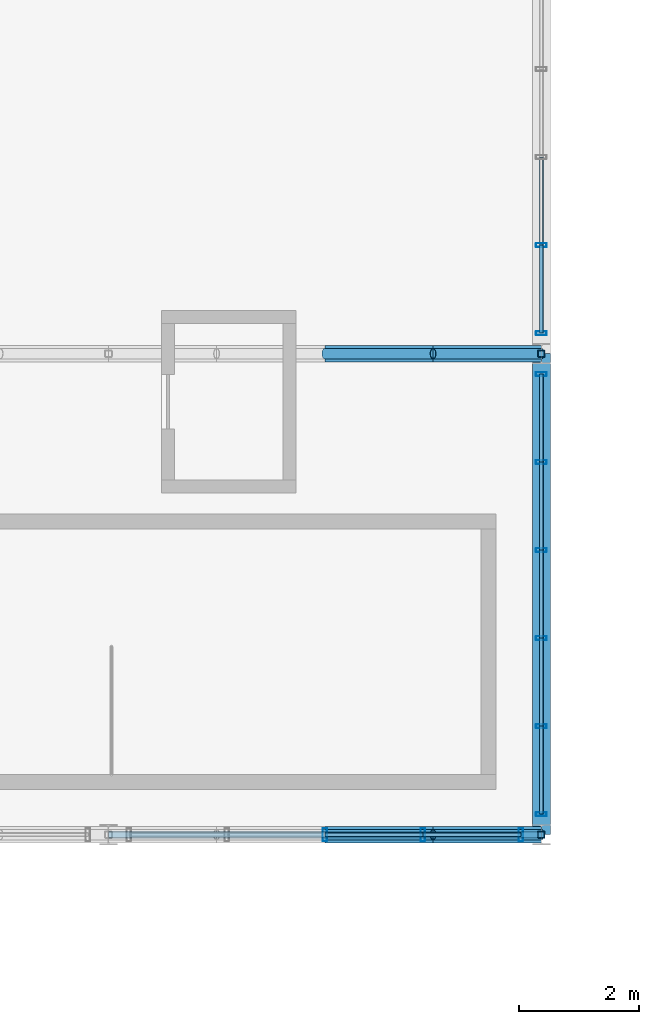
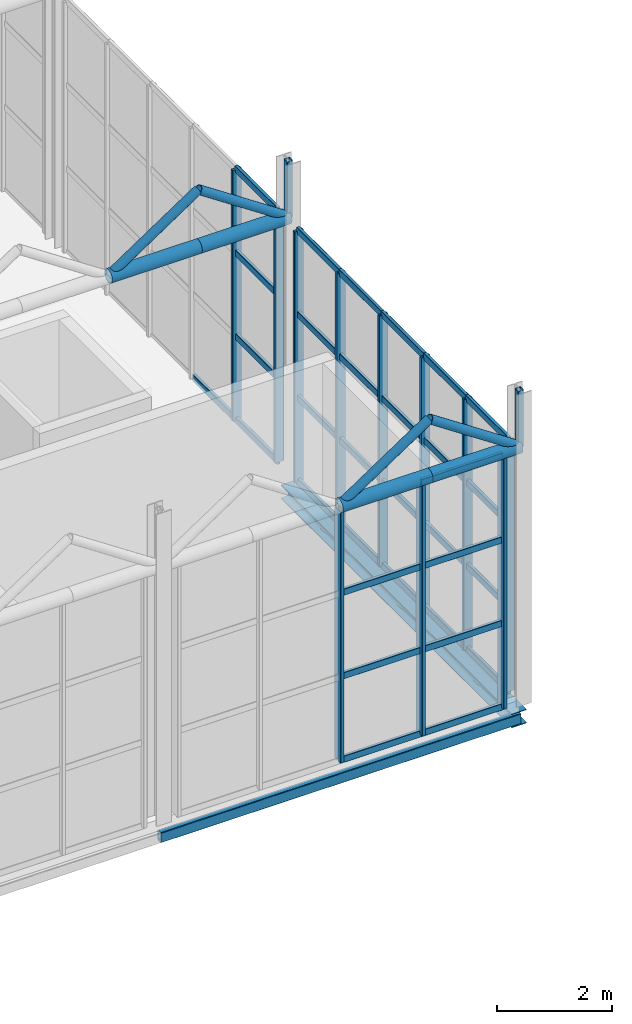
# One storey, part 91 of 153: 54 members, 2 beams, 3 elements without a shape of their own.
"""IFC4 building model written with IfcOpenShell, lengths in metres."""

from ifc_helpers import new_model, si_unit, derived_unit, direction, frame, origin, origin_2d, place, context, subcontext, project, spatial, hollow_rectangle, hollow_circle, i_section, extrude, material, material_profile, profile_set, type_object, element, aggregate, save


model = new_model("IFC4")

# Units and contexts
model_context = context("Model", 3, precision=1e-05, world=origin(), true_north=direction((0.0, 1.0)))
body_context = subcontext(model_context, "Body", "Model", "MODEL_VIEW")
ifc_project = project(units=[si_unit("LENGTHUNIT", "METRE"), si_unit("AREAUNIT", "SQUARE_METRE"), si_unit("VOLUMEUNIT", "CUBIC_METRE"), si_unit("PLANEANGLEUNIT", "RADIAN"), si_unit("MASSUNIT", "GRAM", prefix="KILO"), derived_unit("THERMALTRANSMITTANCEUNIT", [(si_unit("POWERUNIT", "WATT"), 1), (si_unit("LENGTHUNIT", "METRE"), -2), (si_unit("THERMODYNAMICTEMPERATUREUNIT", "KELVIN"), -1)])], contexts=[model_context])

# Site, building, storey
site_placement = place(None, origin())
site = spatial("IfcSite", under=ifc_project, at=site_placement, CompositionType="ELEMENT")
building_placement = place(site_placement, origin())
building = spatial("IfcBuilding", under=site, at=building_placement, Name="Keldorne Ridge Multi-Sports Centre", CompositionType="ELEMENT")
storey_placement = place(building_placement, frame((0.0, 0.0, 9.60009765625)))
storey = spatial("IfcBuildingStorey", under=building, at=storey_placement, Name="L02", CompositionType="ELEMENT", Elevation=9.60009765625)

# Beams
ifc_material_1 = material(Name="Steel S355", Category="steel")
ifc_material_profile_1 = material_profile(ifc_material_1, i_section(OverallWidth=0.300048828125, OverallDepth=0.2900390625, WebThickness=0.008544921875, FlangeThickness=0.013916015625, FilletRadius=0.027099609375, at=origin_2d()), Name="HEA 300")
ifc_profile_set_1 = profile_set([ifc_material_profile_1], Name="Steel S355")
beam_type_1 = type_object("IfcBeamType", Name="BM-SP-04", PredefinedType="SPANDREL", material=ifc_profile_set_1)
beam_1_placement = place(storey_placement, frame((42.0, 74.0, -0.39013671875), z_axis=(0.0, 1.0, 0.0), x_axis=(-1.0, 0.0, 0.0)))
element("IfcBeam", 1, at=beam_1_placement, inside=storey, type_object=beam_type_1, Name="Climbing east spandrel L02.1", PredefinedType="SPANDREL", context=body_context, shape_type="SweptSolid", body=[
    extrude(i_section(OverallWidth=0.300048828125, OverallDepth=0.2900390625, WebThickness=0.008544921875, FlangeThickness=0.013916015625, FilletRadius=0.027099609375, at=origin_2d()), origin(), (0.0, 0.0, 1.0), 8.0),
])
ifc_material_profile_2 = material_profile(ifc_material_1, hollow_rectangle(XDim=0.1201171875, YDim=0.219970703125, WallThickness=0.010009765625, InnerFilletRadius=0.010009765625, OuterFilletRadius=0.02001953125, at=origin_2d()), Name="RHS 220x120x10")
ifc_profile_set_2 = profile_set([ifc_material_profile_2], Name="Steel S355")
beam_type_2 = type_object("IfcBeamType", Name="BM-SP-07", PredefinedType="SPANDREL", material=ifc_profile_set_2)
beam_2_placement = place(storey_placement, frame((34.800048828125, 74.0, -0.360107421875), z_axis=(1.0, 0.0, 0.0), x_axis=(0.0, 1.0, 0.0)))
element("IfcBeam", 2, at=beam_2_placement, inside=storey, type_object=beam_type_2, Name="Climbing spandrel L02.74.5", PredefinedType="SPANDREL", context=body_context, shape_type="SweptSolid", body=[
    extrude(hollow_rectangle(XDim=0.1201171875, YDim=0.219970703125, WallThickness=0.010009765625, InnerFilletRadius=0.010009765625, OuterFilletRadius=0.02001953125, at=origin_2d()), origin(), (0.0, 0.0, 1.0), 7.199951171875),
])

# Curtain wall, members
ifc_material_2 = material(Name="Anodized aluminium", Category="aluminium")
curtain_wall_type_1 = type_object("IfcCurtainWallType", Name="CW-CW-04", PredefinedType="NOTDEFINED", material=ifc_material_2)
curtain_wall_1_placement = place(storey_placement, origin())
curtain_wall_1 = element("IfcCurtainWall", 3, at=curtain_wall_1_placement, inside=storey, type_object=curtain_wall_type_1, Name="Climbing east courtyard glazing L02 060", PredefinedType="NOTDEFINED")
ifc_material_profile_3 = material_profile(ifc_material_2, hollow_rectangle(XDim=0.06494140625, YDim=0.179931640625, WallThickness=0.00439453125, InnerFilletRadius=0.00439453125, OuterFilletRadius=0.009033203125, at=origin_2d()), Name="ALU MULLION 180x65x4.5")
ifc_profile_set_3 = profile_set([ifc_material_profile_3], Name="Anodized aluminium")
member_type_1 = type_object("IfcMemberType", Name="MEM-ML-01", PredefinedType="MULLION", material=ifc_profile_set_3)
member_1_placement = place(storey_placement, frame((42.0, 74.340087890625, 0.0), z_axis=(0.0, 0.0, 1.0), x_axis=(0.0, 1.0, 0.0)))
member_1 = element("IfcMember", 4, at=member_1_placement, type_object=member_type_1, Name="CW-060 vertical mullion 1", PredefinedType="MULLION", context=body_context, shape_type="SweptSolid", body=[
    extrude(hollow_rectangle(XDim=0.06494140625, YDim=0.179931640625, WallThickness=0.00439453125, InnerFilletRadius=0.00439453125, OuterFilletRadius=0.009033203125, at=origin_2d()), origin(), (0.0, 0.0, 1.0), 5.2998046875),
])
member_2_placement = place(storey_placement, frame((42.0, 75.803955078125, 0.0), z_axis=(0.0, 0.0, 1.0), x_axis=(0.0, 1.0, 0.0)))
member_2 = element("IfcMember", 5, at=member_2_placement, type_object=member_type_1, Name="CW-060 vertical mullion 2", PredefinedType="MULLION", context=body_context, shape_type="SweptSolid", body=[
    extrude(hollow_rectangle(XDim=0.06494140625, YDim=0.179931640625, WallThickness=0.00439453125, InnerFilletRadius=0.00439453125, OuterFilletRadius=0.009033203125, at=origin_2d()), origin(), (0.0, 0.0, 1.0), 5.2998046875),
])
member_3_placement = place(storey_placement, frame((42.0, 77.26806640625, 0.0), z_axis=(0.0, 0.0, 1.0), x_axis=(0.0, 1.0, 0.0)))
member_3 = element("IfcMember", 6, at=member_3_placement, type_object=member_type_1, Name="CW-060 vertical mullion 3", PredefinedType="MULLION", context=body_context, shape_type="SweptSolid", body=[
    extrude(hollow_rectangle(XDim=0.06494140625, YDim=0.179931640625, WallThickness=0.00439453125, InnerFilletRadius=0.00439453125, OuterFilletRadius=0.009033203125, at=origin_2d()), origin(), (0.0, 0.0, 1.0), 5.2998046875),
])
member_4_placement = place(storey_placement, frame((42.0, 78.73193359375, 0.0), z_axis=(0.0, 0.0, 1.0), x_axis=(0.0, 1.0, 0.0)))
member_4 = element("IfcMember", 7, at=member_4_placement, type_object=member_type_1, Name="CW-060 vertical mullion 4", PredefinedType="MULLION", context=body_context, shape_type="SweptSolid", body=[
    extrude(hollow_rectangle(XDim=0.06494140625, YDim=0.179931640625, WallThickness=0.00439453125, InnerFilletRadius=0.00439453125, OuterFilletRadius=0.009033203125, at=origin_2d()), origin(), (0.0, 0.0, 1.0), 5.2998046875),
])
member_5_placement = place(storey_placement, frame((42.0, 80.196044921875, 0.0), z_axis=(0.0, 0.0, 1.0), x_axis=(0.0, 1.0, 0.0)))
member_5 = element("IfcMember", 8, at=member_5_placement, type_object=member_type_1, Name="CW-060 vertical mullion 5", PredefinedType="MULLION", context=body_context, shape_type="SweptSolid", body=[
    extrude(hollow_rectangle(XDim=0.06494140625, YDim=0.179931640625, WallThickness=0.00439453125, InnerFilletRadius=0.00439453125, OuterFilletRadius=0.009033203125, at=origin_2d()), origin(), (0.0, 0.0, 1.0), 5.2998046875),
])
member_6_placement = place(storey_placement, frame((42.0, 81.659912109375, 0.0), z_axis=(0.0, 0.0, 1.0), x_axis=(0.0, 1.0, 0.0)))
member_6 = element("IfcMember", 9, at=member_6_placement, type_object=member_type_1, Name="CW-060 vertical mullion 6", PredefinedType="MULLION", context=body_context, shape_type="SweptSolid", body=[
    extrude(hollow_rectangle(XDim=0.06494140625, YDim=0.179931640625, WallThickness=0.00439453125, InnerFilletRadius=0.00439453125, OuterFilletRadius=0.009033203125, at=origin_2d()), origin(), (0.0, 0.0, 1.0), 5.2998046875),
])

curtain_wall_type_2 = type_object("IfcCurtainWallType", Name="CW-CW-07", PredefinedType="NOTDEFINED", material=ifc_material_2)
curtain_wall_2_placement = place(storey_placement, origin())
curtain_wall_2 = element("IfcCurtainWall", 10, at=curtain_wall_2_placement, inside=storey, type_object=curtain_wall_type_2, Name="Climbing east courtyard glazing L02 063", PredefinedType="NOTDEFINED")
member_7_placement = place(storey_placement, frame((42.0, 82.340087890625, 0.0), z_axis=(0.0, 0.0, 1.0), x_axis=(0.0, 1.0, 0.0)))
member_7 = element("IfcMember", 11, at=member_7_placement, type_object=member_type_1, Name="CW-063 vertical mullion 1", PredefinedType="MULLION", context=body_context, shape_type="SweptSolid", body=[
    extrude(hollow_rectangle(XDim=0.06494140625, YDim=0.179931640625, WallThickness=0.00439453125, InnerFilletRadius=0.00439453125, OuterFilletRadius=0.009033203125, at=origin_2d()), origin(), (0.0, 0.0, 1.0), 5.2998046875),
])
member_8_placement = place(storey_placement, frame((42.0, 83.803955078125, 0.0), z_axis=(0.0, 0.0, 1.0), x_axis=(0.0, 1.0, 0.0)))
member_8 = element("IfcMember", 12, at=member_8_placement, type_object=member_type_1, Name="CW-063 vertical mullion 2", PredefinedType="MULLION", context=body_context, shape_type="SweptSolid", body=[
    extrude(hollow_rectangle(XDim=0.06494140625, YDim=0.179931640625, WallThickness=0.00439453125, InnerFilletRadius=0.00439453125, OuterFilletRadius=0.009033203125, at=origin_2d()), origin(), (0.0, 0.0, 1.0), 5.2998046875),
])

curtain_wall_type_3 = type_object("IfcCurtainWallType", Name="CW-CW-06", PredefinedType="NOTDEFINED", material=ifc_material_2)
curtain_wall_3_placement = place(storey_placement, origin())
curtain_wall_3 = element("IfcCurtainWall", 13, at=curtain_wall_3_placement, inside=storey, type_object=curtain_wall_type_3, Name="Climbing upper south glazing 054", PredefinedType="NOTDEFINED")
ifc_material_profile_4 = material_profile(ifc_material_2, hollow_rectangle(XDim=0.074951171875, YDim=0.219970703125, WallThickness=0.0048828125, InnerFilletRadius=0.0048828125, OuterFilletRadius=0.010009765625, at=origin_2d()), Name="ALU MULLION 220x75x5")
ifc_profile_set_4 = profile_set([ifc_material_profile_4], Name="Anodized aluminium")
member_type_2 = type_object("IfcMemberType", Name="MEM-ML-02", PredefinedType="MULLION", material=ifc_profile_set_4)
member_9_placement = place(storey_placement, frame((38.39990234375, 74.0, 0.0), z_axis=(0.0, 0.0, 1.0), x_axis=(1.0, 0.0, 0.0)))
member_9 = element("IfcMember", 14, at=member_9_placement, type_object=member_type_2, Name="CW-054 vertical mullion 3", PredefinedType="MULLION", context=body_context, shape_type="SweptSolid", body=[
    extrude(hollow_rectangle(XDim=0.074951171875, YDim=0.219970703125, WallThickness=0.0048828125, InnerFilletRadius=0.0048828125, OuterFilletRadius=0.010009765625, at=origin_2d()), origin(), (0.0, 0.0, 1.0), 5.2998046875),
])
member_10_placement = place(storey_placement, frame((40.030029296875, 74.0, 0.0), z_axis=(0.0, 0.0, 1.0), x_axis=(1.0, 0.0, 0.0)))
member_10 = element("IfcMember", 15, at=member_10_placement, type_object=member_type_2, Name="CW-054 vertical mullion 4", PredefinedType="MULLION", context=body_context, shape_type="SweptSolid", body=[
    extrude(hollow_rectangle(XDim=0.074951171875, YDim=0.219970703125, WallThickness=0.0048828125, InnerFilletRadius=0.0048828125, OuterFilletRadius=0.010009765625, at=origin_2d()), origin(), (0.0, 0.0, 1.0), 5.2998046875),
])
member_11_placement = place(storey_placement, frame((41.659912109375, 74.0, 0.0), z_axis=(0.0, 0.0, 1.0), x_axis=(1.0, 0.0, 0.0)))
member_11 = element("IfcMember", 16, at=member_11_placement, type_object=member_type_2, Name="CW-054 vertical mullion 5", PredefinedType="MULLION", context=body_context, shape_type="SweptSolid", body=[
    extrude(hollow_rectangle(XDim=0.074951171875, YDim=0.219970703125, WallThickness=0.0048828125, InnerFilletRadius=0.0048828125, OuterFilletRadius=0.010009765625, at=origin_2d()), origin(), (0.0, 0.0, 1.0), 5.2998046875),
])

# Members
ifc_material_profile_5 = material_profile(ifc_material_1, hollow_circle(Radius=0.136474609375, WallThickness=0.012451171875, at=origin_2d()), Name="CHS 273x12.5")
ifc_profile_set_5 = profile_set([ifc_material_profile_5], Name="Steel S355")
member_type_3 = type_object("IfcMemberType", Name="MEM-TC-05", PredefinedType="CHORD", material=ifc_profile_set_5)
for number, where, z_axis, x_axis, name in (
    (17, (38.39990234375, 74.0, 5.3798828125), (1.0, 0.0, 0.0), (0.0, 1.0, 0.0), "Climbing sawtooth ROOF TRUSS ST-01 bottom chord 19"),
    (18, (40.199951171875, 74.0, 5.3798828125), (1.0, 0.0, 0.0), (0.0, 1.0, 0.0), "Climbing sawtooth ROOF TRUSS ST-01 bottom chord 20"),
    (19, (38.39990234375, 82.0, 5.3798828125), (1.0, 0.0, 0.0), (0.0, 1.0, 0.0), "Climbing sawtooth ROOF TRUSS ST-02 bottom chord 19"),
    (20, (40.199951171875, 82.0, 5.3798828125), (1.0, 0.0, 0.0), (0.0, 1.0, 0.0), "Climbing sawtooth ROOF TRUSS ST-02 bottom chord 20"),
):
    element("IfcMember", number, at=place(storey_placement, frame(where, z_axis=z_axis, x_axis=x_axis)), inside=storey, type_object=member_type_3, Name=name, PredefinedType="CHORD", context=body_context, shape_type="SweptSolid", body=[
        extrude(hollow_circle(Radius=0.136474609375, WallThickness=0.012451171875, at=origin_2d()), origin(), (0.0, 0.0, 1.0), 1.800048828125),
    ])
ifc_material_profile_6 = material_profile(ifc_material_1, hollow_circle(Radius=0.0888671875, WallThickness=0.010009765625, at=origin_2d()), Name="CHS 177.8x10")
ifc_profile_set_6 = profile_set([ifc_material_profile_6], Name="Steel S355")
member_type_4 = type_object("IfcMemberType", Name="MEM-TD-03", PredefinedType="BRACE", material=ifc_profile_set_6)
for number, where, z_axis, x_axis, name in (
    (21, (38.39990234375, 74.0, 5.3798828125), (0.832067655982, 0.0, 0.554674152876), (0.0, 1.0, 0.0), "Climbing sawtooth web diagonal 01.19"),
    (22, (40.199951171875, 74.0, 6.579833984375), (0.832067655982, 0.0, -0.554674152876), (0.0, 1.0, 0.0), "Climbing sawtooth web diagonal 01.20"),
    (23, (38.39990234375, 82.0, 5.3798828125), (0.832067655982, 0.0, 0.554674152876), (0.0, 1.0, 0.0), "Climbing sawtooth web diagonal 02.19"),
    (24, (40.199951171875, 82.0, 6.579833984375), (0.832067655982, 0.0, -0.554674152876), (0.0, 1.0, 0.0), "Climbing sawtooth web diagonal 02.20"),
):
    element("IfcMember", number, at=place(storey_placement, frame(where, z_axis=z_axis, x_axis=x_axis)), inside=storey, type_object=member_type_4, Name=name, PredefinedType="BRACE", context=body_context, shape_type="SweptSolid", body=[
        extrude(hollow_circle(Radius=0.0888671875, WallThickness=0.010009765625, at=origin_2d()), origin(), (0.0, 0.0, 1.0), 2.163330078125),
    ])

# Member
ifc_material_profile_7 = material_profile(ifc_material_2, hollow_rectangle(XDim=0.06494140625, YDim=0.139892578125, WallThickness=0.00439453125, InnerFilletRadius=0.00439453125, OuterFilletRadius=0.009033203125, at=origin_2d()), Name="ALU TRANSOM 140x65x4.5")
ifc_profile_set_7 = profile_set([ifc_material_profile_7], Name="Anodized aluminium")
member_type_5 = type_object("IfcMemberType", Name="MEM-TR-01", PredefinedType="USERDEFINED", material=ifc_profile_set_7)
member_12_placement = place(storey_placement, frame((38.39990234375, 74.0, 0.0), z_axis=(1.0, 0.0, 0.0), x_axis=(0.0, 1.0, 0.0)))
member_12 = element("IfcMember", 25, at=member_12_placement, type_object=member_type_5, Name="CW-054 transom 3.1", ObjectType="TRANSOM", PredefinedType="USERDEFINED", context=body_context, shape_type="SweptSolid", body=[
    extrude(hollow_rectangle(XDim=0.06494140625, YDim=0.139892578125, WallThickness=0.00439453125, InnerFilletRadius=0.00439453125, OuterFilletRadius=0.009033203125, at=origin_2d()), origin(), (0.0, 0.0, 1.0), 1.630126953125),
])

member_13_placement = place(storey_placement, frame((38.39990234375, 74.0, 1.7666015625), z_axis=(1.0, 0.0, 0.0), x_axis=(0.0, 1.0, 0.0)))
member_13 = element("IfcMember", 26, at=member_13_placement, type_object=member_type_5, Name="CW-054 transom 3.2", ObjectType="TRANSOM", PredefinedType="USERDEFINED", context=body_context, shape_type="SweptSolid", body=[
    extrude(hollow_rectangle(XDim=0.06494140625, YDim=0.139892578125, WallThickness=0.00439453125, InnerFilletRadius=0.00439453125, OuterFilletRadius=0.009033203125, at=origin_2d()), origin(), (0.0, 0.0, 1.0), 1.630126953125),
])

member_14_placement = place(storey_placement, frame((38.39990234375, 74.0, 3.533203125), z_axis=(1.0, 0.0, 0.0), x_axis=(0.0, 1.0, 0.0)))
member_14 = element("IfcMember", 27, at=member_14_placement, type_object=member_type_5, Name="CW-054 transom 3.3", ObjectType="TRANSOM", PredefinedType="USERDEFINED", context=body_context, shape_type="SweptSolid", body=[
    extrude(hollow_rectangle(XDim=0.06494140625, YDim=0.139892578125, WallThickness=0.00439453125, InnerFilletRadius=0.00439453125, OuterFilletRadius=0.009033203125, at=origin_2d()), origin(), (0.0, 0.0, 1.0), 1.630126953125),
])

member_15_placement = place(storey_placement, frame((38.39990234375, 74.0, 5.2998046875), z_axis=(1.0, 0.0, 0.0), x_axis=(0.0, 1.0, 0.0)))
member_15 = element("IfcMember", 28, at=member_15_placement, type_object=member_type_5, Name="CW-054 transom 3.4", ObjectType="TRANSOM", PredefinedType="USERDEFINED", context=body_context, shape_type="SweptSolid", body=[
    extrude(hollow_rectangle(XDim=0.06494140625, YDim=0.139892578125, WallThickness=0.00439453125, InnerFilletRadius=0.00439453125, OuterFilletRadius=0.009033203125, at=origin_2d()), origin(), (0.0, 0.0, 1.0), 1.630126953125),
])

member_16_placement = place(storey_placement, frame((40.030029296875, 74.0, 0.0), z_axis=(1.0, 0.0, 0.0), x_axis=(0.0, 1.0, 0.0)))
member_16 = element("IfcMember", 29, at=member_16_placement, type_object=member_type_5, Name="CW-054 transom 4.1", ObjectType="TRANSOM", PredefinedType="USERDEFINED", context=body_context, shape_type="SweptSolid", body=[
    extrude(hollow_rectangle(XDim=0.06494140625, YDim=0.139892578125, WallThickness=0.00439453125, InnerFilletRadius=0.00439453125, OuterFilletRadius=0.009033203125, at=origin_2d()), origin(), (0.0, 0.0, 1.0), 1.6298828125),
])

member_17_placement = place(storey_placement, frame((40.030029296875, 74.0, 1.7666015625), z_axis=(1.0, 0.0, 0.0), x_axis=(0.0, 1.0, 0.0)))
member_17 = element("IfcMember", 30, at=member_17_placement, type_object=member_type_5, Name="CW-054 transom 4.2", ObjectType="TRANSOM", PredefinedType="USERDEFINED", context=body_context, shape_type="SweptSolid", body=[
    extrude(hollow_rectangle(XDim=0.06494140625, YDim=0.139892578125, WallThickness=0.00439453125, InnerFilletRadius=0.00439453125, OuterFilletRadius=0.009033203125, at=origin_2d()), origin(), (0.0, 0.0, 1.0), 1.6298828125),
])

member_18_placement = place(storey_placement, frame((40.030029296875, 74.0, 3.533203125), z_axis=(1.0, 0.0, 0.0), x_axis=(0.0, 1.0, 0.0)))
member_18 = element("IfcMember", 31, at=member_18_placement, type_object=member_type_5, Name="CW-054 transom 4.3", ObjectType="TRANSOM", PredefinedType="USERDEFINED", context=body_context, shape_type="SweptSolid", body=[
    extrude(hollow_rectangle(XDim=0.06494140625, YDim=0.139892578125, WallThickness=0.00439453125, InnerFilletRadius=0.00439453125, OuterFilletRadius=0.009033203125, at=origin_2d()), origin(), (0.0, 0.0, 1.0), 1.6298828125),
])

member_19_placement = place(storey_placement, frame((40.030029296875, 74.0, 5.2998046875), z_axis=(1.0, 0.0, 0.0), x_axis=(0.0, 1.0, 0.0)))
member_19 = element("IfcMember", 32, at=member_19_placement, type_object=member_type_5, Name="CW-054 transom 4.4", ObjectType="TRANSOM", PredefinedType="USERDEFINED", context=body_context, shape_type="SweptSolid", body=[
    extrude(hollow_rectangle(XDim=0.06494140625, YDim=0.139892578125, WallThickness=0.00439453125, InnerFilletRadius=0.00439453125, OuterFilletRadius=0.009033203125, at=origin_2d()), origin(), (0.0, 0.0, 1.0), 1.6298828125),
])

aggregate(curtain_wall_3, [member_9, member_10, member_11, member_12, member_13, member_14, member_15, member_16, member_17, member_18, member_19])

member_20_placement = place(storey_placement, frame((42.0, 74.340087890625, 0.0), z_axis=(0.0, 1.0, 0.0), x_axis=(-1.0, 0.0, 0.0)))
member_20 = element("IfcMember", 33, at=member_20_placement, type_object=member_type_5, Name="CW-060 transom 1.1", ObjectType="TRANSOM", PredefinedType="USERDEFINED", context=body_context, shape_type="SweptSolid", body=[
    extrude(hollow_rectangle(XDim=0.06494140625, YDim=0.139892578125, WallThickness=0.00439453125, InnerFilletRadius=0.00439453125, OuterFilletRadius=0.009033203125, at=origin_2d()), origin(), (0.0, 0.0, 1.0), 1.4638671875),
])

member_21_placement = place(storey_placement, frame((42.0, 74.340087890625, 1.7666015625), z_axis=(0.0, 1.0, 0.0), x_axis=(-1.0, 0.0, 0.0)))
member_21 = element("IfcMember", 34, at=member_21_placement, type_object=member_type_5, Name="CW-060 transom 1.2", ObjectType="TRANSOM", PredefinedType="USERDEFINED", context=body_context, shape_type="SweptSolid", body=[
    extrude(hollow_rectangle(XDim=0.06494140625, YDim=0.139892578125, WallThickness=0.00439453125, InnerFilletRadius=0.00439453125, OuterFilletRadius=0.009033203125, at=origin_2d()), origin(), (0.0, 0.0, 1.0), 1.4638671875),
])

member_22_placement = place(storey_placement, frame((42.0, 74.340087890625, 3.533203125), z_axis=(0.0, 1.0, 0.0), x_axis=(-1.0, 0.0, 0.0)))
member_22 = element("IfcMember", 35, at=member_22_placement, type_object=member_type_5, Name="CW-060 transom 1.3", ObjectType="TRANSOM", PredefinedType="USERDEFINED", context=body_context, shape_type="SweptSolid", body=[
    extrude(hollow_rectangle(XDim=0.06494140625, YDim=0.139892578125, WallThickness=0.00439453125, InnerFilletRadius=0.00439453125, OuterFilletRadius=0.009033203125, at=origin_2d()), origin(), (0.0, 0.0, 1.0), 1.4638671875),
])

member_23_placement = place(storey_placement, frame((42.0, 74.340087890625, 5.2998046875), z_axis=(0.0, 1.0, 0.0), x_axis=(-1.0, 0.0, 0.0)))
member_23 = element("IfcMember", 36, at=member_23_placement, type_object=member_type_5, Name="CW-060 transom 1.4", ObjectType="TRANSOM", PredefinedType="USERDEFINED", context=body_context, shape_type="SweptSolid", body=[
    extrude(hollow_rectangle(XDim=0.06494140625, YDim=0.139892578125, WallThickness=0.00439453125, InnerFilletRadius=0.00439453125, OuterFilletRadius=0.009033203125, at=origin_2d()), origin(), (0.0, 0.0, 1.0), 1.4638671875),
])

member_24_placement = place(storey_placement, frame((42.0, 75.803955078125, 0.0), z_axis=(0.0, 1.0, 0.0), x_axis=(-1.0, 0.0, 0.0)))
member_24 = element("IfcMember", 37, at=member_24_placement, type_object=member_type_5, Name="CW-060 transom 2.1", ObjectType="TRANSOM", PredefinedType="USERDEFINED", context=body_context, shape_type="SweptSolid", body=[
    extrude(hollow_rectangle(XDim=0.06494140625, YDim=0.139892578125, WallThickness=0.00439453125, InnerFilletRadius=0.00439453125, OuterFilletRadius=0.009033203125, at=origin_2d()), origin(), (0.0, 0.0, 1.0), 1.464111328125),
])

member_25_placement = place(storey_placement, frame((42.0, 75.803955078125, 1.7666015625), z_axis=(0.0, 1.0, 0.0), x_axis=(-1.0, 0.0, 0.0)))
member_25 = element("IfcMember", 38, at=member_25_placement, type_object=member_type_5, Name="CW-060 transom 2.2", ObjectType="TRANSOM", PredefinedType="USERDEFINED", context=body_context, shape_type="SweptSolid", body=[
    extrude(hollow_rectangle(XDim=0.06494140625, YDim=0.139892578125, WallThickness=0.00439453125, InnerFilletRadius=0.00439453125, OuterFilletRadius=0.009033203125, at=origin_2d()), origin(), (0.0, 0.0, 1.0), 1.464111328125),
])

member_26_placement = place(storey_placement, frame((42.0, 75.803955078125, 3.533203125), z_axis=(0.0, 1.0, 0.0), x_axis=(-1.0, 0.0, 0.0)))
member_26 = element("IfcMember", 39, at=member_26_placement, type_object=member_type_5, Name="CW-060 transom 2.3", ObjectType="TRANSOM", PredefinedType="USERDEFINED", context=body_context, shape_type="SweptSolid", body=[
    extrude(hollow_rectangle(XDim=0.06494140625, YDim=0.139892578125, WallThickness=0.00439453125, InnerFilletRadius=0.00439453125, OuterFilletRadius=0.009033203125, at=origin_2d()), origin(), (0.0, 0.0, 1.0), 1.464111328125),
])

member_27_placement = place(storey_placement, frame((42.0, 75.803955078125, 5.2998046875), z_axis=(0.0, 1.0, 0.0), x_axis=(-1.0, 0.0, 0.0)))
member_27 = element("IfcMember", 40, at=member_27_placement, type_object=member_type_5, Name="CW-060 transom 2.4", ObjectType="TRANSOM", PredefinedType="USERDEFINED", context=body_context, shape_type="SweptSolid", body=[
    extrude(hollow_rectangle(XDim=0.06494140625, YDim=0.139892578125, WallThickness=0.00439453125, InnerFilletRadius=0.00439453125, OuterFilletRadius=0.009033203125, at=origin_2d()), origin(), (0.0, 0.0, 1.0), 1.464111328125),
])

member_28_placement = place(storey_placement, frame((42.0, 77.26806640625, 0.0), z_axis=(0.0, 1.0, 0.0), x_axis=(-1.0, 0.0, 0.0)))
member_28 = element("IfcMember", 41, at=member_28_placement, type_object=member_type_5, Name="CW-060 transom 3.1", ObjectType="TRANSOM", PredefinedType="USERDEFINED", context=body_context, shape_type="SweptSolid", body=[
    extrude(hollow_rectangle(XDim=0.06494140625, YDim=0.139892578125, WallThickness=0.00439453125, InnerFilletRadius=0.00439453125, OuterFilletRadius=0.009033203125, at=origin_2d()), origin(), (0.0, 0.0, 1.0), 1.4638671875),
])

member_29_placement = place(storey_placement, frame((42.0, 77.26806640625, 1.7666015625), z_axis=(0.0, 1.0, 0.0), x_axis=(-1.0, 0.0, 0.0)))
member_29 = element("IfcMember", 42, at=member_29_placement, type_object=member_type_5, Name="CW-060 transom 3.2", ObjectType="TRANSOM", PredefinedType="USERDEFINED", context=body_context, shape_type="SweptSolid", body=[
    extrude(hollow_rectangle(XDim=0.06494140625, YDim=0.139892578125, WallThickness=0.00439453125, InnerFilletRadius=0.00439453125, OuterFilletRadius=0.009033203125, at=origin_2d()), origin(), (0.0, 0.0, 1.0), 1.4638671875),
])

member_30_placement = place(storey_placement, frame((42.0, 77.26806640625, 3.533203125), z_axis=(0.0, 1.0, 0.0), x_axis=(-1.0, 0.0, 0.0)))
member_30 = element("IfcMember", 43, at=member_30_placement, type_object=member_type_5, Name="CW-060 transom 3.3", ObjectType="TRANSOM", PredefinedType="USERDEFINED", context=body_context, shape_type="SweptSolid", body=[
    extrude(hollow_rectangle(XDim=0.06494140625, YDim=0.139892578125, WallThickness=0.00439453125, InnerFilletRadius=0.00439453125, OuterFilletRadius=0.009033203125, at=origin_2d()), origin(), (0.0, 0.0, 1.0), 1.4638671875),
])

member_31_placement = place(storey_placement, frame((42.0, 77.26806640625, 5.2998046875), z_axis=(0.0, 1.0, 0.0), x_axis=(-1.0, 0.0, 0.0)))
member_31 = element("IfcMember", 44, at=member_31_placement, type_object=member_type_5, Name="CW-060 transom 3.4", ObjectType="TRANSOM", PredefinedType="USERDEFINED", context=body_context, shape_type="SweptSolid", body=[
    extrude(hollow_rectangle(XDim=0.06494140625, YDim=0.139892578125, WallThickness=0.00439453125, InnerFilletRadius=0.00439453125, OuterFilletRadius=0.009033203125, at=origin_2d()), origin(), (0.0, 0.0, 1.0), 1.4638671875),
])

member_32_placement = place(storey_placement, frame((42.0, 78.73193359375, 0.0), z_axis=(0.0, 1.0, 0.0), x_axis=(-1.0, 0.0, 0.0)))
member_32 = element("IfcMember", 45, at=member_32_placement, type_object=member_type_5, Name="CW-060 transom 4.1", ObjectType="TRANSOM", PredefinedType="USERDEFINED", context=body_context, shape_type="SweptSolid", body=[
    extrude(hollow_rectangle(XDim=0.06494140625, YDim=0.139892578125, WallThickness=0.00439453125, InnerFilletRadius=0.00439453125, OuterFilletRadius=0.009033203125, at=origin_2d()), origin(), (0.0, 0.0, 1.0), 1.464111328125),
])

member_33_placement = place(storey_placement, frame((42.0, 78.73193359375, 1.7666015625), z_axis=(0.0, 1.0, 0.0), x_axis=(-1.0, 0.0, 0.0)))
member_33 = element("IfcMember", 46, at=member_33_placement, type_object=member_type_5, Name="CW-060 transom 4.2", ObjectType="TRANSOM", PredefinedType="USERDEFINED", context=body_context, shape_type="SweptSolid", body=[
    extrude(hollow_rectangle(XDim=0.06494140625, YDim=0.139892578125, WallThickness=0.00439453125, InnerFilletRadius=0.00439453125, OuterFilletRadius=0.009033203125, at=origin_2d()), origin(), (0.0, 0.0, 1.0), 1.464111328125),
])

member_34_placement = place(storey_placement, frame((42.0, 78.73193359375, 3.533203125), z_axis=(0.0, 1.0, 0.0), x_axis=(-1.0, 0.0, 0.0)))
member_34 = element("IfcMember", 47, at=member_34_placement, type_object=member_type_5, Name="CW-060 transom 4.3", ObjectType="TRANSOM", PredefinedType="USERDEFINED", context=body_context, shape_type="SweptSolid", body=[
    extrude(hollow_rectangle(XDim=0.06494140625, YDim=0.139892578125, WallThickness=0.00439453125, InnerFilletRadius=0.00439453125, OuterFilletRadius=0.009033203125, at=origin_2d()), origin(), (0.0, 0.0, 1.0), 1.464111328125),
])

member_35_placement = place(storey_placement, frame((42.0, 78.73193359375, 5.2998046875), z_axis=(0.0, 1.0, 0.0), x_axis=(-1.0, 0.0, 0.0)))
member_35 = element("IfcMember", 48, at=member_35_placement, type_object=member_type_5, Name="CW-060 transom 4.4", ObjectType="TRANSOM", PredefinedType="USERDEFINED", context=body_context, shape_type="SweptSolid", body=[
    extrude(hollow_rectangle(XDim=0.06494140625, YDim=0.139892578125, WallThickness=0.00439453125, InnerFilletRadius=0.00439453125, OuterFilletRadius=0.009033203125, at=origin_2d()), origin(), (0.0, 0.0, 1.0), 1.464111328125),
])

member_36_placement = place(storey_placement, frame((42.0, 80.196044921875, 0.0), z_axis=(0.0, 1.0, 0.0), x_axis=(-1.0, 0.0, 0.0)))
member_36 = element("IfcMember", 49, at=member_36_placement, type_object=member_type_5, Name="CW-060 transom 5.1", ObjectType="TRANSOM", PredefinedType="USERDEFINED", context=body_context, shape_type="SweptSolid", body=[
    extrude(hollow_rectangle(XDim=0.06494140625, YDim=0.139892578125, WallThickness=0.00439453125, InnerFilletRadius=0.00439453125, OuterFilletRadius=0.009033203125, at=origin_2d()), origin(), (0.0, 0.0, 1.0), 1.4638671875),
])

member_37_placement = place(storey_placement, frame((42.0, 80.196044921875, 1.7666015625), z_axis=(0.0, 1.0, 0.0), x_axis=(-1.0, 0.0, 0.0)))
member_37 = element("IfcMember", 50, at=member_37_placement, type_object=member_type_5, Name="CW-060 transom 5.2", ObjectType="TRANSOM", PredefinedType="USERDEFINED", context=body_context, shape_type="SweptSolid", body=[
    extrude(hollow_rectangle(XDim=0.06494140625, YDim=0.139892578125, WallThickness=0.00439453125, InnerFilletRadius=0.00439453125, OuterFilletRadius=0.009033203125, at=origin_2d()), origin(), (0.0, 0.0, 1.0), 1.4638671875),
])

member_38_placement = place(storey_placement, frame((42.0, 80.196044921875, 3.533203125), z_axis=(0.0, 1.0, 0.0), x_axis=(-1.0, 0.0, 0.0)))
member_38 = element("IfcMember", 51, at=member_38_placement, type_object=member_type_5, Name="CW-060 transom 5.3", ObjectType="TRANSOM", PredefinedType="USERDEFINED", context=body_context, shape_type="SweptSolid", body=[
    extrude(hollow_rectangle(XDim=0.06494140625, YDim=0.139892578125, WallThickness=0.00439453125, InnerFilletRadius=0.00439453125, OuterFilletRadius=0.009033203125, at=origin_2d()), origin(), (0.0, 0.0, 1.0), 1.4638671875),
])

member_39_placement = place(storey_placement, frame((42.0, 80.196044921875, 5.2998046875), z_axis=(0.0, 1.0, 0.0), x_axis=(-1.0, 0.0, 0.0)))
member_39 = element("IfcMember", 52, at=member_39_placement, type_object=member_type_5, Name="CW-060 transom 5.4", ObjectType="TRANSOM", PredefinedType="USERDEFINED", context=body_context, shape_type="SweptSolid", body=[
    extrude(hollow_rectangle(XDim=0.06494140625, YDim=0.139892578125, WallThickness=0.00439453125, InnerFilletRadius=0.00439453125, OuterFilletRadius=0.009033203125, at=origin_2d()), origin(), (0.0, 0.0, 1.0), 1.4638671875),
])

aggregate(curtain_wall_1, [member_1, member_2, member_3, member_4, member_5, member_6, member_20, member_21, member_22, member_23, member_24, member_25, member_26, member_27, member_28, member_29, member_30, member_31, member_32, member_33, member_34, member_35, member_36, member_37, member_38, member_39])

member_40_placement = place(storey_placement, frame((42.0, 82.340087890625, 0.0), z_axis=(0.0, 1.0, 0.0), x_axis=(-1.0, 0.0, 0.0)))
member_40 = element("IfcMember", 53, at=member_40_placement, type_object=member_type_5, Name="CW-063 transom 1.1", ObjectType="TRANSOM", PredefinedType="USERDEFINED", context=body_context, shape_type="SweptSolid", body=[
    extrude(hollow_rectangle(XDim=0.06494140625, YDim=0.139892578125, WallThickness=0.00439453125, InnerFilletRadius=0.00439453125, OuterFilletRadius=0.009033203125, at=origin_2d()), origin(), (0.0, 0.0, 1.0), 1.4638671875),
])

member_41_placement = place(storey_placement, frame((42.0, 82.340087890625, 1.7666015625), z_axis=(0.0, 1.0, 0.0), x_axis=(-1.0, 0.0, 0.0)))
member_41 = element("IfcMember", 54, at=member_41_placement, type_object=member_type_5, Name="CW-063 transom 1.2", ObjectType="TRANSOM", PredefinedType="USERDEFINED", context=body_context, shape_type="SweptSolid", body=[
    extrude(hollow_rectangle(XDim=0.06494140625, YDim=0.139892578125, WallThickness=0.00439453125, InnerFilletRadius=0.00439453125, OuterFilletRadius=0.009033203125, at=origin_2d()), origin(), (0.0, 0.0, 1.0), 1.4638671875),
])

member_42_placement = place(storey_placement, frame((42.0, 82.340087890625, 3.533203125), z_axis=(0.0, 1.0, 0.0), x_axis=(-1.0, 0.0, 0.0)))
member_42 = element("IfcMember", 55, at=member_42_placement, type_object=member_type_5, Name="CW-063 transom 1.3", ObjectType="TRANSOM", PredefinedType="USERDEFINED", context=body_context, shape_type="SweptSolid", body=[
    extrude(hollow_rectangle(XDim=0.06494140625, YDim=0.139892578125, WallThickness=0.00439453125, InnerFilletRadius=0.00439453125, OuterFilletRadius=0.009033203125, at=origin_2d()), origin(), (0.0, 0.0, 1.0), 1.4638671875),
])

member_43_placement = place(storey_placement, frame((42.0, 82.340087890625, 5.2998046875), z_axis=(0.0, 1.0, 0.0), x_axis=(-1.0, 0.0, 0.0)))
member_43 = element("IfcMember", 56, at=member_43_placement, type_object=member_type_5, Name="CW-063 transom 1.4", ObjectType="TRANSOM", PredefinedType="USERDEFINED", context=body_context, shape_type="SweptSolid", body=[
    extrude(hollow_rectangle(XDim=0.06494140625, YDim=0.139892578125, WallThickness=0.00439453125, InnerFilletRadius=0.00439453125, OuterFilletRadius=0.009033203125, at=origin_2d()), origin(), (0.0, 0.0, 1.0), 1.4638671875),
])

member_44_placement = place(storey_placement, frame((42.0, 83.803955078125, 0.0), z_axis=(0.0, 1.0, 0.0), x_axis=(-1.0, 0.0, 0.0)))
member_44 = element("IfcMember", 57, at=member_44_placement, type_object=member_type_5, Name="CW-063 transom 2.1", ObjectType="TRANSOM", PredefinedType="USERDEFINED", context=body_context, shape_type="SweptSolid", body=[
    extrude(hollow_rectangle(XDim=0.06494140625, YDim=0.139892578125, WallThickness=0.00439453125, InnerFilletRadius=0.00439453125, OuterFilletRadius=0.009033203125, at=origin_2d()), origin(), (0.0, 0.0, 1.0), 1.464111328125),
])

aggregate(curtain_wall_2, [member_7, member_8, member_40, member_41, member_42, member_43, member_44])

# Members
ifc_material_profile_8 = material_profile(ifc_material_1, hollow_rectangle(XDim=0.1201171875, YDim=0.1201171875, WallThickness=0.008056640625, InnerFilletRadius=0.008056640625, OuterFilletRadius=0.01611328125, at=origin_2d()), Name="SHS 120x120x8")
ifc_profile_set_8 = profile_set([ifc_material_profile_8], Name="Steel S355")
member_type_6 = type_object("IfcMemberType", Name="MEM-TV-02", PredefinedType="STRUT", material=ifc_profile_set_8)
for number, where, z_axis, x_axis, name in (
    (58, (42.0, 74.0, 5.3798828125), (0.0, 0.0, 1.0), (1.0, 0.0, 0.0), "Climbing sawtooth vertical strut 01.6"),
    (59, (42.0, 82.0, 5.3798828125), (0.0, 0.0, 1.0), (1.0, 0.0, 0.0), "Climbing sawtooth vertical strut 02.6"),
):
    element("IfcMember", number, at=place(storey_placement, frame(where, z_axis=z_axis, x_axis=x_axis)), inside=storey, type_object=member_type_6, Name=name, PredefinedType="STRUT", context=body_context, shape_type="SweptSolid", body=[
        extrude(hollow_rectangle(XDim=0.1201171875, YDim=0.1201171875, WallThickness=0.008056640625, InnerFilletRadius=0.008056640625, OuterFilletRadius=0.01611328125, at=origin_2d()), origin(), (0.0, 0.0, 1.0), 1.199951171875),
    ])

save(model, "model.ifc")
